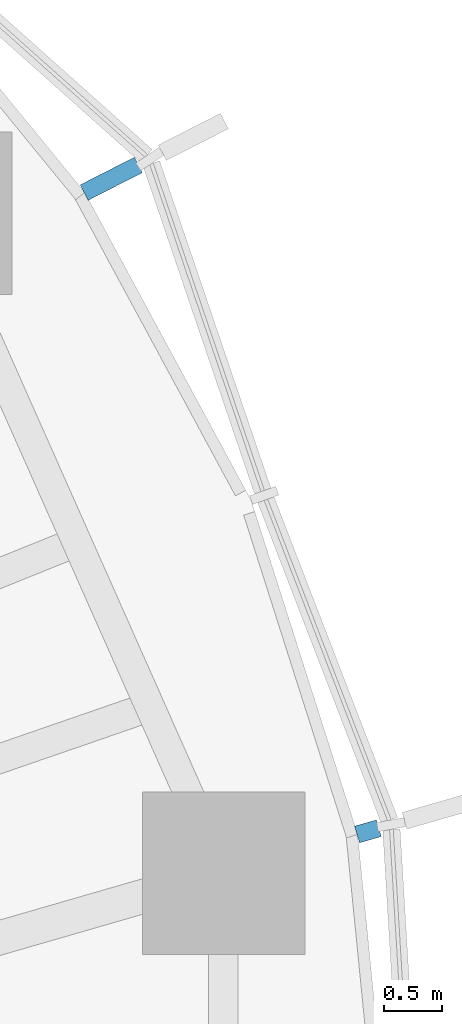
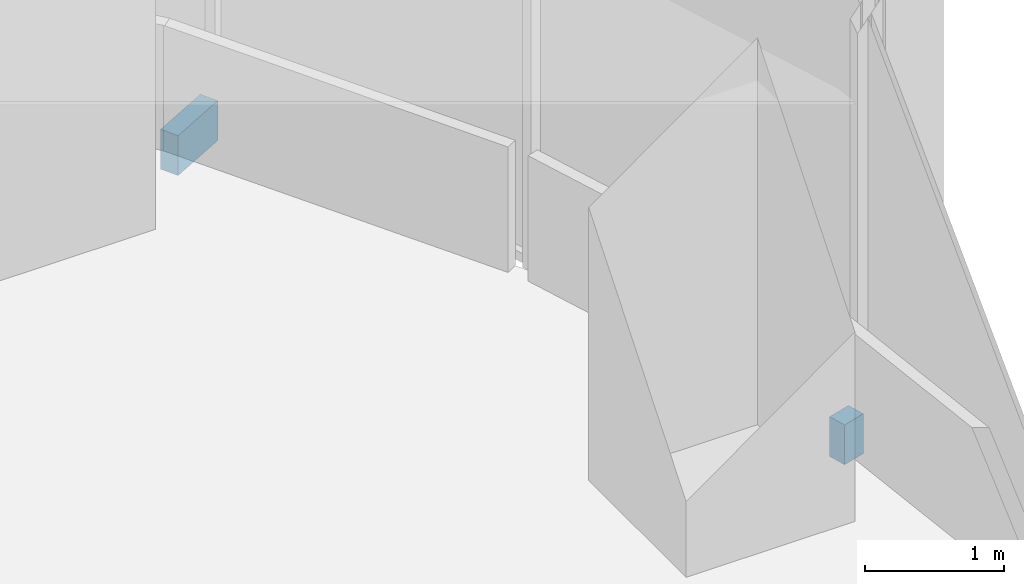
# One storey, part 16 of 18: 2 discrete accessories.
"""IFC4 building model written with IfcOpenShell, lengths in metres."""

import ifcopenshell
import ifcopenshell.guid

model = None  # the IFC model being written
_history = None  # IfcOwnerHistory: only IFC2X3 demands one
_inside = {}  # id of a spatial element -> (the spatial element, [elements in it])
_under = {}  # id of a project, library or spatial element -> (it, [spatial elements below it])
_declared = {}  # id of a project -> (the project, [libraries it declares])
_typed = {}  # id of a type object -> (the type object, [elements of that type])
_made_of = {}  # id of a material, layer set ... -> (it, [elements and type objects made of it])


def new_model(schema):
    """Start an empty IFC model of exactly this schema.

    Asked for "IFC4X3", IfcOpenShell would pick the latest addendum, in which some entities
    have other attributes; the version numbers below select the first issue.
    IFC2X3 requires an IfcOwnerHistory on every rooted entity: one is made here for all.
    """
    global model, _history
    if schema == "IFC4X3":
        model = ifcopenshell.file(schema_version=(4, 3, 0, 0))
    else:
        model = ifcopenshell.file(schema=schema)
    _inside.clear()
    _under.clear()
    _declared.clear()
    _typed.clear()
    _made_of.clear()
    _history = None
    if model.schema == "IFC2X3":
        org = make("IfcOrganization", Name="unknown")
        user = make(
            "IfcPersonAndOrganization",
            ThePerson=make("IfcPerson", FamilyName="unknown"),
            TheOrganization=org,
        )
        app = make(
            "IfcApplication",
            ApplicationDeveloper=org,
            Version="unknown",
            ApplicationFullName="unknown",
            ApplicationIdentifier="unknown",
        )
        _history = make(
            "IfcOwnerHistory",
            OwningUser=user,
            OwningApplication=app,
            ChangeAction="ADDED",
            CreationDate=0,
        )
    return model


def make(cls, **values):
    """One entity of the class cls with the attributes given. An attribute that is None is left unset."""
    return model.create_entity(
        cls, **{name: value for name, value in values.items() if value is not None}
    )


def rooted(cls, **values):
    """An entity with a GlobalId (a new one), such as an element, a storey or a relation."""
    return make(cls, GlobalId=ifcopenshell.guid.new(), OwnerHistory=_history, **values)


def si_unit(unit_type, name, prefix=None):
    """IfcSIUnit, for example si_unit("LENGTHUNIT", "METRE", prefix="MILLI")."""
    return make("IfcSIUnit", UnitType=unit_type, Prefix=prefix, Name=name)


def assignment(units):
    """IfcUnitAssignment: the units of a project."""
    return None if units is None else make("IfcUnitAssignment", Units=units)


def point(xyz):
    """IfcCartesianPoint."""
    return None if xyz is None else make("IfcCartesianPoint", Coordinates=xyz)


def direction(xyz):
    """IfcDirection."""
    return None if xyz is None else make("IfcDirection", DirectionRatios=xyz)


def frame(location, z_axis=None, x_axis=None):
    """IfcAxis2Placement3D, a coordinate frame: its origin and axes. An axis left out is left unset."""
    return make(
        "IfcAxis2Placement3D",
        Location=point(location),
        Axis=direction(z_axis),
        RefDirection=direction(x_axis),
    )


def frame_2d(location, x_axis=None):
    """IfcAxis2Placement2D, a coordinate frame in the plane: its origin and x axis."""
    return make(
        "IfcAxis2Placement2D", Location=point(location), RefDirection=direction(x_axis)
    )


def origin():
    """The frame at (0, 0, 0) with its axes left unset."""
    return frame((0.0, 0.0, 0.0))


def origin_2d():
    """The frame at (0, 0) in the plane with its x axis left unset."""
    return frame_2d((0.0, 0.0))


def place(relative_to, where):
    """IfcLocalPlacement: puts the frame where relative to a parent placement (None: the world)."""
    return make(
        "IfcLocalPlacement", PlacementRelTo=relative_to, RelativePlacement=where
    )


def context(
    kind, dimensions, precision=None, world=None, true_north=None, identifier=None
):
    """IfcGeometricRepresentationContext, for example the 3D "Model" context."""
    return make(
        "IfcGeometricRepresentationContext",
        ContextIdentifier=identifier,
        ContextType=kind,
        CoordinateSpaceDimension=dimensions,
        Precision=precision,
        WorldCoordinateSystem=world,
        TrueNorth=true_north,
    )


def subcontext(parent, identifier, kind, view, scale=None):
    """IfcGeometricRepresentationSubContext, for example "Body" below "Model"."""
    return make(
        "IfcGeometricRepresentationSubContext",
        ContextIdentifier=identifier,
        ContextType=kind,
        ParentContext=parent,
        TargetScale=scale,
        TargetView=view,
    )


def project(units=None, contexts=None):
    """IfcProject with its units and contexts."""
    return rooted(
        "IfcProject",
        Name="project",
        RepresentationContexts=contexts,
        UnitsInContext=assignment(units),
    )


def spatial(cls, under=None, at=None, **own):
    """A site, building, storey or space (cls), placed at a placement, below another one or the project."""
    s = rooted(cls, ObjectPlacement=at, **own)
    if under is not None:
        _under.setdefault(under.id(), (under, []))[1].append(s)
    return s


def profile(cls, at=None, kind="AREA", **sizes):
    """A parametric profile (cls). Its sizes go by their IFC names, for example OverallWidth=200.0."""
    return make(cls, ProfileType=kind, Position=at, **sizes)


def rectangle(**sizes):
    """IfcRectangleProfileDef."""
    return profile("IfcRectangleProfileDef", **sizes)


def extrude(swept, where, along, depth):
    """IfcExtrudedAreaSolid: the profile swept, set in the frame where, extruded along a direction by depth."""
    return make(
        "IfcExtrudedAreaSolid",
        SweptArea=swept,
        Position=where,
        ExtrudedDirection=direction(along),
        Depth=depth,
    )


def shape(context_of_items, identifier, shape_type, items):
    """IfcShapeRepresentation: the items that make up one representation, for example the "Body"."""
    return make(
        "IfcShapeRepresentation",
        ContextOfItems=context_of_items,
        RepresentationIdentifier=identifier,
        RepresentationType=shape_type,
        Items=items,
    )


def material(Name=None, Category=None):
    """IfcMaterial."""
    return make("IfcMaterial", Name=Name, Category=Category)


def made_of(thing, what):
    """Note that an element or type object is made of a material, layer set ...; save() writes the relation."""
    if what is not None:
        _made_of.setdefault(what.id(), (what, []))[1].append(thing)
    return thing


def type_object(cls, material=None, **own):
    """A type object (cls), such as IfcWallType, which elements share."""
    return made_of(rooted(cls, **own), material)


def element(
    cls,
    number,
    at=None,
    inside=None,
    cuts=None,
    type_object=None,
    material=None,
    context=None,
    identifier="Body",
    shape_type=None,
    held_by="IfcProductDefinitionShape",
    body=None,
    shapes=None,
    **own,
):
    """One element of the class cls, such as IfcWall. Its Tag is "e" and its number.

    at: its placement. inside: the storey or other place that contains it. cuts: it is an
    opening in that element (IfcRelVoidsElement). A single representation is given by context,
    identifier, shape_type and body (its items); several are given by shapes. held_by: the class
    of the entity that holds the representations. save() writes the other relations.
    """
    e = rooted(cls, Tag="e%d" % number, ObjectPlacement=at, **own)
    if body is not None:
        shapes = [shape(context, identifier, shape_type, body)]
    if shapes is not None:
        e.Representation = make(held_by, Representations=shapes)
    if inside is not None:
        _inside.setdefault(inside.id(), (inside, []))[1].append(e)
    if cuts is not None:
        rooted(
            "IfcRelVoidsElement", RelatingBuildingElement=cuts, RelatedOpeningElement=e
        )
    if type_object is not None:
        _typed.setdefault(type_object.id(), (type_object, []))[1].append(e)
    return made_of(e, material)


def aggregate(whole, parts):
    """IfcRelAggregates: a whole, such as a stair, and the parts it consists of."""
    return rooted("IfcRelAggregates", RelatingObject=whole, RelatedObjects=parts)


def save(model, path):
    """Write the relations noted so far, then the file.

    IfcRelAggregates (storeys below a building ...), IfcRelContainedInSpatialStructure (elements
    in a storey), IfcRelDefinesByType, IfcRelAssociatesMaterial and IfcRelDeclares: one each for
    every whole, place, type object, material and project.
    """
    for whole, parts in _under.values():
        aggregate(whole, parts)
    for where, things in _inside.values():
        rooted(
            "IfcRelContainedInSpatialStructure",
            RelatedElements=things,
            RelatingStructure=where,
        )
    for kind, things in _typed.values():
        rooted("IfcRelDefinesByType", RelatedObjects=things, RelatingType=kind)
    for what, things in _made_of.values():
        rooted("IfcRelAssociatesMaterial", RelatedObjects=things, RelatingMaterial=what)
    for by, libraries in _declared.values():
        rooted("IfcRelDeclares", RelatingContext=by, RelatedDefinitions=libraries)
    model.write(path)


model = new_model("IFC4")

# Units and contexts
model_context = context("Model", 3, precision=1e-05, world=origin(), true_north=direction((0.0, 1.0)))
body_context = subcontext(model_context, "Body", "Model", "MODEL_VIEW")
ifc_project = project(units=[si_unit("LENGTHUNIT", "METRE"), si_unit("AREAUNIT", "SQUARE_METRE"), si_unit("VOLUMEUNIT", "CUBIC_METRE"), si_unit("PLANEANGLEUNIT", "RADIAN"), si_unit("MASSUNIT", "GRAM", prefix="KILO")], contexts=[model_context])

# Site, building, storey
site_placement = place(None, origin())
site = spatial("IfcSite", under=ifc_project, at=site_placement, CompositionType="ELEMENT")
building_placement = place(site_placement, origin())
building = spatial("IfcBuilding", under=site, at=building_placement, Name="Ghaith Harvest Tower", CompositionType="ELEMENT")
storey_placement = place(building_placement, frame((0.0, 0.0, 172.199951171875)))
storey = spatial("IfcBuildingStorey", under=building, at=storey_placement, Name="L37", CompositionType="ELEMENT", Elevation=172.199951171875)

# Discrete accessories
ifc_material_1 = material(Name="Stainless steel grade 1.4401", Category="steel")
discrete_accessory_type_1 = type_object("IfcDiscreteAccessoryType", Name="CURTAIN WALL BRACKET 195", PredefinedType="BRACKET", material=ifc_material_1)
discrete_accessory_1_placement = place(storey_placement, frame((30.528076171875, 8.8232421875, -0.25), z_axis=(0.0, 0.0, 1.0), x_axis=(0.960680349985, 0.277656739792, 0.0)))
element("IfcDiscreteAccessory", 1, at=discrete_accessory_1_placement, inside=storey, type_object=discrete_accessory_type_1, Name="CW-L bracket 1 bay 02 L37", PredefinedType="BRACKET", context=body_context, shape_type="SweptSolid", body=[
    extrude(rectangle(XDim=0.195068359375, YDim=0.14990234375, at=origin_2d()), origin(), (0.0, 0.0, 1.0), 0.35009765625),
])
ifc_material_2 = material(Name="Stainless steel grade 1.4401", Category="steel")
discrete_accessory_type_2 = type_object("IfcDiscreteAccessoryType", Name="CURTAIN WALL BRACKET 525", PredefinedType="BRACKET", material=ifc_material_2)
discrete_accessory_2_placement = place(storey_placement, frame((28.318115234375, 14.442626953125, -0.25), z_axis=(0.0, 0.0, 1.0), x_axis=(0.890830752257, 0.454335306611, 0.0)))
element("IfcDiscreteAccessory", 2, at=discrete_accessory_2_placement, inside=storey, type_object=discrete_accessory_type_2, Name="CW-L bracket 3 bay 02 L37", PredefinedType="BRACKET", context=body_context, shape_type="SweptSolid", body=[
    extrude(rectangle(XDim=0.52490234375, YDim=0.14990234375, at=origin_2d()), origin(), (0.0, 0.0, 1.0), 0.35009765625),
])

save(model, "model.ifc")
